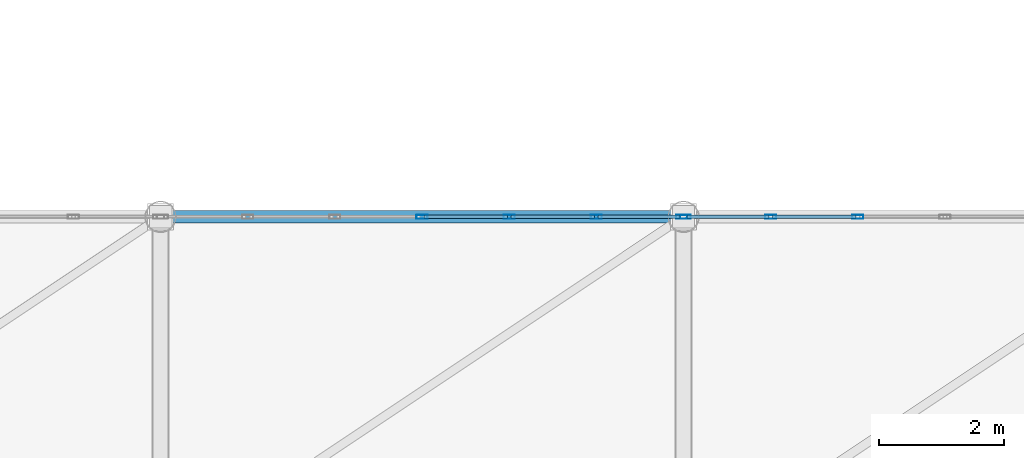
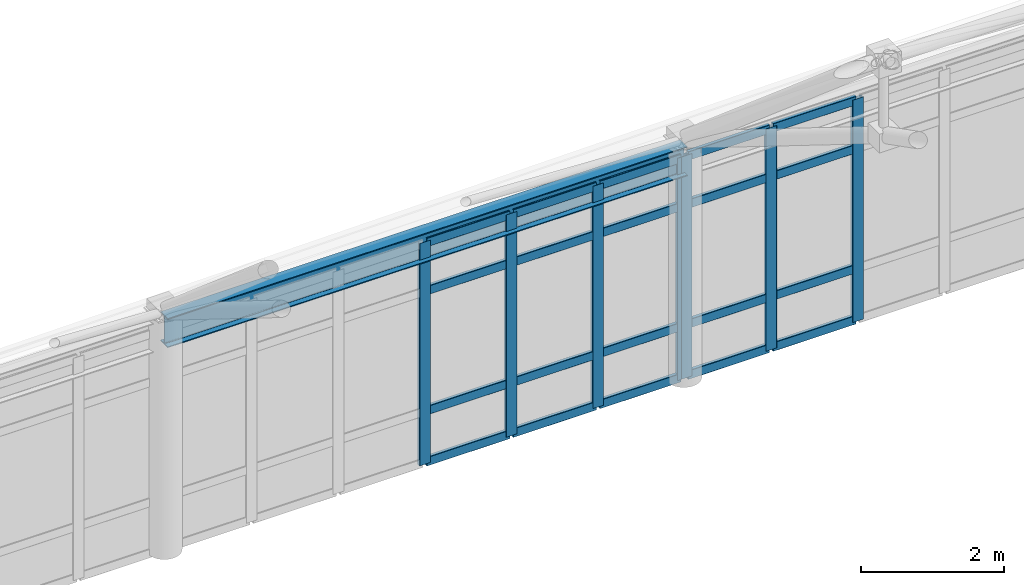
# One storey, part 96 of 184: 27 members, 1 beam, 2 elements without a shape of their own.
"""IFC4 building model written with IfcOpenShell, lengths in metres."""

from ifc_helpers import new_model, si_unit, direction, frame, origin, origin_2d, place, context, subcontext, project, spatial, hollow_rectangle, i_section, extrude, material, layer, layer_set, material_profile, profile_set, type_object, element, aggregate, save


model = new_model("IFC4")

# Units and contexts
model_context = context("Model", 3, precision=1e-05, world=origin(), true_north=direction((0.0, 1.0)))
body_context = subcontext(model_context, "Body", "Model", "MODEL_VIEW")
ifc_project = project(units=[si_unit("LENGTHUNIT", "METRE"), si_unit("AREAUNIT", "SQUARE_METRE"), si_unit("VOLUMEUNIT", "CUBIC_METRE"), si_unit("PLANEANGLEUNIT", "RADIAN"), si_unit("MASSUNIT", "GRAM", prefix="KILO")], contexts=[model_context])

# Site, building, storey
site_placement = place(None, origin())
site = spatial("IfcSite", under=ifc_project, at=site_placement, CompositionType="ELEMENT")
building_placement = place(site_placement, origin())
building = spatial("IfcBuilding", under=site, at=building_placement, Name="Qalvenar Corner Mobility Hub", CompositionType="ELEMENT")
storey_placement = place(building_placement, frame((0.0, 0.0, 9.0)))
storey = spatial("IfcBuildingStorey", under=building, at=storey_placement, Name="L02", CompositionType="ELEMENT", Elevation=9.0)

# Beam
ifc_material_1 = material(Name="Steel S355", Category="steel")
ifc_material_profile_1 = material_profile(ifc_material_1, i_section(OverallWidth=0.199951171875, OverallDepth=0.5, WebThickness=0.01025390625, FlangeThickness=0.01611328125, FilletRadius=0.02099609375, at=origin_2d()), Name="IPE500")
ifc_profile_set_1 = profile_set([ifc_material_profile_1], Name="Steel S355")
beam_type = type_object("IfcBeamType", Name="BM-IPE500", PredefinedType="BEAM", material=ifc_profile_set_1)
beam_placement = place(storey_placement, frame((84.0, 33.60009765625, 3.75), z_axis=(1.0, 0.0, 0.0), x_axis=(0.0, 1.0, 0.0)))
element("IfcBeam", 1, at=beam_placement, inside=storey, type_object=beam_type, Name="Space Frame Ring Beam SFRB-5-33", PredefinedType="BEAM", context=body_context, shape_type="SweptSolid", body=[
    extrude(i_section(OverallWidth=0.199951171875, OverallDepth=0.5, WebThickness=0.01025390625, FlangeThickness=0.01611328125, FilletRadius=0.02099609375, at=origin_2d()), origin(), (0.0, 0.0, 1.0), 8.39990234375),
])

# Curtain wall, members
ifc_material_2 = material(Name="Anodised Aluminium and Low-E Glazing", Category="aluminium")
ifc_layer = layer(ifc_material_2, 0.179931640625)
ifc_layer_set = layer_set([ifc_layer], Name="Anodised Aluminium and Low-E Glazing")
curtain_wall_type = type_object("IfcCurtainWallType", Name="CW-CONC-84X42", PredefinedType="NOTDEFINED", material=ifc_layer_set)
curtain_wall_1_placement = place(storey_placement, origin())
curtain_wall_1 = element("IfcCurtainWall", 2, at=curtain_wall_1_placement, inside=storey, type_object=curtain_wall_type, Name="Glazed Curtain Wall CW-V1-L02-N4", PredefinedType="NOTDEFINED")
ifc_material_3 = material(Name="Anodised Aluminium 6063-T6", Category="aluminium")
ifc_material_profile_2 = material_profile(ifc_material_3, hollow_rectangle(XDim=0.06494140625, YDim=0.179931640625, WallThickness=0.00390625, InnerFilletRadius=0.00390625, OuterFilletRadius=0.008056640625, at=origin_2d()), Name="RHS180x65x4")
ifc_profile_set_2 = profile_set([ifc_material_profile_2], Name="Anodised Aluminium 6063-T6")
member_type_1 = type_object("IfcMemberType", Name="CW-MUL180", PredefinedType="MULLION", material=ifc_profile_set_2)
member_1_placement = place(storey_placement, frame((92.3701171875, 33.60009765625, 0.0), z_axis=(0.0, 0.0, 1.0), x_axis=(0.0, -1.0, 0.0)))
member_1 = element("IfcMember", 3, at=member_1_placement, type_object=member_type_1, Name="CW-02 mullion 1", PredefinedType="MULLION", context=body_context, shape_type="SweptSolid", body=[
    extrude(hollow_rectangle(XDim=0.06494140625, YDim=0.179931640625, WallThickness=0.00390625, InnerFilletRadius=0.00390625, OuterFilletRadius=0.008056640625, at=origin_2d()), origin(), (0.0, 0.0, 1.0), 3.800048828125),
])
member_2_placement = place(storey_placement, frame((91.0, 33.60009765625, 0.0), z_axis=(0.0, 0.0, 1.0), x_axis=(0.0, -1.0, 0.0)))
member_2 = element("IfcMember", 4, at=member_2_placement, type_object=member_type_1, Name="CW-02 mullion 2", PredefinedType="MULLION", context=body_context, shape_type="SweptSolid", body=[
    extrude(hollow_rectangle(XDim=0.06494140625, YDim=0.179931640625, WallThickness=0.00390625, InnerFilletRadius=0.00390625, OuterFilletRadius=0.008056640625, at=origin_2d()), origin(), (0.0, 0.0, 1.0), 3.800048828125),
])
member_3_placement = place(storey_placement, frame((89.60009765625, 33.60009765625, 0.0), z_axis=(0.0, 0.0, 1.0), x_axis=(0.0, -1.0, 0.0)))
member_3 = element("IfcMember", 5, at=member_3_placement, type_object=member_type_1, Name="CW-02 mullion 3", PredefinedType="MULLION", context=body_context, shape_type="SweptSolid", body=[
    extrude(hollow_rectangle(XDim=0.06494140625, YDim=0.179931640625, WallThickness=0.00390625, InnerFilletRadius=0.00390625, OuterFilletRadius=0.008056640625, at=origin_2d()), origin(), (0.0, 0.0, 1.0), 3.800048828125),
])
member_4_placement = place(storey_placement, frame((88.199951171875, 33.60009765625, 0.0), z_axis=(0.0, 0.0, 1.0), x_axis=(0.0, -1.0, 0.0)))
member_4 = element("IfcMember", 6, at=member_4_placement, type_object=member_type_1, Name="CW-02 mullion 4", PredefinedType="MULLION", context=body_context, shape_type="SweptSolid", body=[
    extrude(hollow_rectangle(XDim=0.06494140625, YDim=0.179931640625, WallThickness=0.00390625, InnerFilletRadius=0.00390625, OuterFilletRadius=0.008056640625, at=origin_2d()), origin(), (0.0, 0.0, 1.0), 3.800048828125),
])

curtain_wall_2_placement = place(storey_placement, origin())
curtain_wall_2 = element("IfcCurtainWall", 7, at=curtain_wall_2_placement, inside=storey, type_object=curtain_wall_type, Name="Glazed Curtain Wall CW-V1-L02-N5", PredefinedType="NOTDEFINED")
member_5_placement = place(storey_placement, frame((95.199951171875, 33.60009765625, 0.0), z_axis=(0.0, 0.0, 1.0), x_axis=(0.0, -1.0, 0.0)))
member_5 = element("IfcMember", 8, at=member_5_placement, type_object=member_type_1, Name="CW-02 mullion 5", PredefinedType="MULLION", context=body_context, shape_type="SweptSolid", body=[
    extrude(hollow_rectangle(XDim=0.06494140625, YDim=0.179931640625, WallThickness=0.00390625, InnerFilletRadius=0.00390625, OuterFilletRadius=0.008056640625, at=origin_2d()), origin(), (0.0, 0.0, 1.0), 3.800048828125),
])
member_6_placement = place(storey_placement, frame((93.800048828125, 33.60009765625, 0.0), z_axis=(0.0, 0.0, 1.0), x_axis=(0.0, -1.0, 0.0)))
member_6 = element("IfcMember", 9, at=member_6_placement, type_object=member_type_1, Name="CW-02 mullion 6", PredefinedType="MULLION", context=body_context, shape_type="SweptSolid", body=[
    extrude(hollow_rectangle(XDim=0.06494140625, YDim=0.179931640625, WallThickness=0.00390625, InnerFilletRadius=0.00390625, OuterFilletRadius=0.008056640625, at=origin_2d()), origin(), (0.0, 0.0, 1.0), 3.800048828125),
])
member_7_placement = place(storey_placement, frame((92.429931640625, 33.60009765625, 0.0), z_axis=(0.0, 0.0, 1.0), x_axis=(0.0, -1.0, 0.0)))
member_7 = element("IfcMember", 10, at=member_7_placement, type_object=member_type_1, Name="CW-02 mullion 7", PredefinedType="MULLION", context=body_context, shape_type="SweptSolid", body=[
    extrude(hollow_rectangle(XDim=0.06494140625, YDim=0.179931640625, WallThickness=0.00390625, InnerFilletRadius=0.00390625, OuterFilletRadius=0.008056640625, at=origin_2d()), origin(), (0.0, 0.0, 1.0), 3.800048828125),
])

# Member
ifc_material_profile_3 = material_profile(ifc_material_3, hollow_rectangle(XDim=0.06005859375, YDim=0.14990234375, WallThickness=0.00341796875, InnerFilletRadius=0.00341796875, OuterFilletRadius=0.007080078125, at=origin_2d()), Name="RHS150x60x3.5")
ifc_profile_set_3 = profile_set([ifc_material_profile_3], Name="Anodised Aluminium 6063-T6")
member_type_2 = type_object("IfcMemberType", Name="CW-TRN150", PredefinedType="USERDEFINED", material=ifc_profile_set_3)
member_8_placement = place(storey_placement, frame((92.340087890625, 33.60009765625, 0.027587890625), z_axis=(-1.0, 0.0, 0.0), x_axis=(0.0, -1.0, 0.0)))
member_8 = element("IfcMember", 11, at=member_8_placement, type_object=member_type_2, Name="CW-02 transom 1.1", ObjectType="TRANSOM", PredefinedType="USERDEFINED", context=body_context, shape_type="SweptSolid", body=[
    extrude(hollow_rectangle(XDim=0.06005859375, YDim=0.14990234375, WallThickness=0.00341796875, InnerFilletRadius=0.00341796875, OuterFilletRadius=0.007080078125, at=origin_2d()), origin(), (0.0, 0.0, 1.0), 1.31005859375),
])

member_9_placement = place(storey_placement, frame((92.340087890625, 33.60009765625, 0.89990234375), z_axis=(-1.0, 0.0, 0.0), x_axis=(0.0, -1.0, 0.0)))
member_9 = element("IfcMember", 12, at=member_9_placement, type_object=member_type_2, Name="CW-02 transom 1.2", ObjectType="TRANSOM", PredefinedType="USERDEFINED", context=body_context, shape_type="SweptSolid", body=[
    extrude(hollow_rectangle(XDim=0.06005859375, YDim=0.14990234375, WallThickness=0.00341796875, InnerFilletRadius=0.00341796875, OuterFilletRadius=0.007080078125, at=origin_2d()), origin(), (0.0, 0.0, 1.0), 1.31005859375),
])

member_10_placement = place(storey_placement, frame((92.340087890625, 33.60009765625, 2.949951171875), z_axis=(-1.0, 0.0, 0.0), x_axis=(0.0, -1.0, 0.0)))
member_10 = element("IfcMember", 13, at=member_10_placement, type_object=member_type_2, Name="CW-02 transom 1.3", ObjectType="TRANSOM", PredefinedType="USERDEFINED", context=body_context, shape_type="SweptSolid", body=[
    extrude(hollow_rectangle(XDim=0.06005859375, YDim=0.14990234375, WallThickness=0.00341796875, InnerFilletRadius=0.00341796875, OuterFilletRadius=0.007080078125, at=origin_2d()), origin(), (0.0, 0.0, 1.0), 1.31005859375),
])

member_11_placement = place(storey_placement, frame((92.340087890625, 33.60009765625, 3.7724609375), z_axis=(-1.0, 0.0, 0.0), x_axis=(0.0, -1.0, 0.0)))
member_11 = element("IfcMember", 14, at=member_11_placement, type_object=member_type_2, Name="CW-02 transom 1.4", ObjectType="TRANSOM", PredefinedType="USERDEFINED", context=body_context, shape_type="SweptSolid", body=[
    extrude(hollow_rectangle(XDim=0.06005859375, YDim=0.14990234375, WallThickness=0.00341796875, InnerFilletRadius=0.00341796875, OuterFilletRadius=0.007080078125, at=origin_2d()), origin(), (0.0, 0.0, 1.0), 1.31005859375),
])

member_12_placement = place(storey_placement, frame((90.969970703125, 33.60009765625, 0.027587890625), z_axis=(-1.0, 0.0, 0.0), x_axis=(0.0, -1.0, 0.0)))
member_12 = element("IfcMember", 15, at=member_12_placement, type_object=member_type_2, Name="CW-02 transom 2.1", ObjectType="TRANSOM", PredefinedType="USERDEFINED", context=body_context, shape_type="SweptSolid", body=[
    extrude(hollow_rectangle(XDim=0.06005859375, YDim=0.14990234375, WallThickness=0.00341796875, InnerFilletRadius=0.00341796875, OuterFilletRadius=0.007080078125, at=origin_2d()), origin(), (0.0, 0.0, 1.0), 1.340087890625),
])

member_13_placement = place(storey_placement, frame((90.969970703125, 33.60009765625, 0.89990234375), z_axis=(-1.0, 0.0, 0.0), x_axis=(0.0, -1.0, 0.0)))
member_13 = element("IfcMember", 16, at=member_13_placement, type_object=member_type_2, Name="CW-02 transom 2.2", ObjectType="TRANSOM", PredefinedType="USERDEFINED", context=body_context, shape_type="SweptSolid", body=[
    extrude(hollow_rectangle(XDim=0.06005859375, YDim=0.14990234375, WallThickness=0.00341796875, InnerFilletRadius=0.00341796875, OuterFilletRadius=0.007080078125, at=origin_2d()), origin(), (0.0, 0.0, 1.0), 1.340087890625),
])

member_14_placement = place(storey_placement, frame((90.969970703125, 33.60009765625, 2.949951171875), z_axis=(-1.0, 0.0, 0.0), x_axis=(0.0, -1.0, 0.0)))
member_14 = element("IfcMember", 17, at=member_14_placement, type_object=member_type_2, Name="CW-02 transom 2.3", ObjectType="TRANSOM", PredefinedType="USERDEFINED", context=body_context, shape_type="SweptSolid", body=[
    extrude(hollow_rectangle(XDim=0.06005859375, YDim=0.14990234375, WallThickness=0.00341796875, InnerFilletRadius=0.00341796875, OuterFilletRadius=0.007080078125, at=origin_2d()), origin(), (0.0, 0.0, 1.0), 1.340087890625),
])

member_15_placement = place(storey_placement, frame((90.969970703125, 33.60009765625, 3.7724609375), z_axis=(-1.0, 0.0, 0.0), x_axis=(0.0, -1.0, 0.0)))
member_15 = element("IfcMember", 18, at=member_15_placement, type_object=member_type_2, Name="CW-02 transom 2.4", ObjectType="TRANSOM", PredefinedType="USERDEFINED", context=body_context, shape_type="SweptSolid", body=[
    extrude(hollow_rectangle(XDim=0.06005859375, YDim=0.14990234375, WallThickness=0.00341796875, InnerFilletRadius=0.00341796875, OuterFilletRadius=0.007080078125, at=origin_2d()), origin(), (0.0, 0.0, 1.0), 1.340087890625),
])

member_16_placement = place(storey_placement, frame((89.570068359375, 33.60009765625, 0.027587890625), z_axis=(-1.0, 0.0, 0.0), x_axis=(0.0, -1.0, 0.0)))
member_16 = element("IfcMember", 19, at=member_16_placement, type_object=member_type_2, Name="CW-02 transom 3.1", ObjectType="TRANSOM", PredefinedType="USERDEFINED", context=body_context, shape_type="SweptSolid", body=[
    extrude(hollow_rectangle(XDim=0.06005859375, YDim=0.14990234375, WallThickness=0.00341796875, InnerFilletRadius=0.00341796875, OuterFilletRadius=0.007080078125, at=origin_2d()), origin(), (0.0, 0.0, 1.0), 1.340087890625),
])

member_17_placement = place(storey_placement, frame((89.570068359375, 33.60009765625, 0.89990234375), z_axis=(-1.0, 0.0, 0.0), x_axis=(0.0, -1.0, 0.0)))
member_17 = element("IfcMember", 20, at=member_17_placement, type_object=member_type_2, Name="CW-02 transom 3.2", ObjectType="TRANSOM", PredefinedType="USERDEFINED", context=body_context, shape_type="SweptSolid", body=[
    extrude(hollow_rectangle(XDim=0.06005859375, YDim=0.14990234375, WallThickness=0.00341796875, InnerFilletRadius=0.00341796875, OuterFilletRadius=0.007080078125, at=origin_2d()), origin(), (0.0, 0.0, 1.0), 1.340087890625),
])

member_18_placement = place(storey_placement, frame((89.570068359375, 33.60009765625, 2.949951171875), z_axis=(-1.0, 0.0, 0.0), x_axis=(0.0, -1.0, 0.0)))
member_18 = element("IfcMember", 21, at=member_18_placement, type_object=member_type_2, Name="CW-02 transom 3.3", ObjectType="TRANSOM", PredefinedType="USERDEFINED", context=body_context, shape_type="SweptSolid", body=[
    extrude(hollow_rectangle(XDim=0.06005859375, YDim=0.14990234375, WallThickness=0.00341796875, InnerFilletRadius=0.00341796875, OuterFilletRadius=0.007080078125, at=origin_2d()), origin(), (0.0, 0.0, 1.0), 1.340087890625),
])

member_19_placement = place(storey_placement, frame((89.570068359375, 33.60009765625, 3.7724609375), z_axis=(-1.0, 0.0, 0.0), x_axis=(0.0, -1.0, 0.0)))
member_19 = element("IfcMember", 22, at=member_19_placement, type_object=member_type_2, Name="CW-02 transom 3.4", ObjectType="TRANSOM", PredefinedType="USERDEFINED", context=body_context, shape_type="SweptSolid", body=[
    extrude(hollow_rectangle(XDim=0.06005859375, YDim=0.14990234375, WallThickness=0.00341796875, InnerFilletRadius=0.00341796875, OuterFilletRadius=0.007080078125, at=origin_2d()), origin(), (0.0, 0.0, 1.0), 1.340087890625),
])

aggregate(curtain_wall_1, [member_1, member_2, member_3, member_4, member_8, member_9, member_10, member_11, member_12, member_13, member_14, member_15, member_16, member_17, member_18, member_19])

member_20_placement = place(storey_placement, frame((95.169921875, 33.60009765625, 0.027587890625), z_axis=(-1.0, 0.0, 0.0), x_axis=(0.0, -1.0, 0.0)))
member_20 = element("IfcMember", 23, at=member_20_placement, type_object=member_type_2, Name="CW-02 transom 5.1", ObjectType="TRANSOM", PredefinedType="USERDEFINED", context=body_context, shape_type="SweptSolid", body=[
    extrude(hollow_rectangle(XDim=0.06005859375, YDim=0.14990234375, WallThickness=0.00341796875, InnerFilletRadius=0.00341796875, OuterFilletRadius=0.007080078125, at=origin_2d()), origin(), (0.0, 0.0, 1.0), 1.33984375),
])

member_21_placement = place(storey_placement, frame((95.169921875, 33.60009765625, 0.89990234375), z_axis=(-1.0, 0.0, 0.0), x_axis=(0.0, -1.0, 0.0)))
member_21 = element("IfcMember", 24, at=member_21_placement, type_object=member_type_2, Name="CW-02 transom 5.2", ObjectType="TRANSOM", PredefinedType="USERDEFINED", context=body_context, shape_type="SweptSolid", body=[
    extrude(hollow_rectangle(XDim=0.06005859375, YDim=0.14990234375, WallThickness=0.00341796875, InnerFilletRadius=0.00341796875, OuterFilletRadius=0.007080078125, at=origin_2d()), origin(), (0.0, 0.0, 1.0), 1.33984375),
])

member_22_placement = place(storey_placement, frame((95.169921875, 33.60009765625, 2.949951171875), z_axis=(-1.0, 0.0, 0.0), x_axis=(0.0, -1.0, 0.0)))
member_22 = element("IfcMember", 25, at=member_22_placement, type_object=member_type_2, Name="CW-02 transom 5.3", ObjectType="TRANSOM", PredefinedType="USERDEFINED", context=body_context, shape_type="SweptSolid", body=[
    extrude(hollow_rectangle(XDim=0.06005859375, YDim=0.14990234375, WallThickness=0.00341796875, InnerFilletRadius=0.00341796875, OuterFilletRadius=0.007080078125, at=origin_2d()), origin(), (0.0, 0.0, 1.0), 1.33984375),
])

member_23_placement = place(storey_placement, frame((95.169921875, 33.60009765625, 3.7724609375), z_axis=(-1.0, 0.0, 0.0), x_axis=(0.0, -1.0, 0.0)))
member_23 = element("IfcMember", 26, at=member_23_placement, type_object=member_type_2, Name="CW-02 transom 5.4", ObjectType="TRANSOM", PredefinedType="USERDEFINED", context=body_context, shape_type="SweptSolid", body=[
    extrude(hollow_rectangle(XDim=0.06005859375, YDim=0.14990234375, WallThickness=0.00341796875, InnerFilletRadius=0.00341796875, OuterFilletRadius=0.007080078125, at=origin_2d()), origin(), (0.0, 0.0, 1.0), 1.33984375),
])

member_24_placement = place(storey_placement, frame((93.77001953125, 33.60009765625, 0.027587890625), z_axis=(-1.0, 0.0, 0.0), x_axis=(0.0, -1.0, 0.0)))
member_24 = element("IfcMember", 27, at=member_24_placement, type_object=member_type_2, Name="CW-02 transom 6.1", ObjectType="TRANSOM", PredefinedType="USERDEFINED", context=body_context, shape_type="SweptSolid", body=[
    extrude(hollow_rectangle(XDim=0.06005859375, YDim=0.14990234375, WallThickness=0.00341796875, InnerFilletRadius=0.00341796875, OuterFilletRadius=0.007080078125, at=origin_2d()), origin(), (0.0, 0.0, 1.0), 1.31005859375),
])

member_25_placement = place(storey_placement, frame((93.77001953125, 33.60009765625, 0.89990234375), z_axis=(-1.0, 0.0, 0.0), x_axis=(0.0, -1.0, 0.0)))
member_25 = element("IfcMember", 28, at=member_25_placement, type_object=member_type_2, Name="CW-02 transom 6.2", ObjectType="TRANSOM", PredefinedType="USERDEFINED", context=body_context, shape_type="SweptSolid", body=[
    extrude(hollow_rectangle(XDim=0.06005859375, YDim=0.14990234375, WallThickness=0.00341796875, InnerFilletRadius=0.00341796875, OuterFilletRadius=0.007080078125, at=origin_2d()), origin(), (0.0, 0.0, 1.0), 1.31005859375),
])

member_26_placement = place(storey_placement, frame((93.77001953125, 33.60009765625, 2.949951171875), z_axis=(-1.0, 0.0, 0.0), x_axis=(0.0, -1.0, 0.0)))
member_26 = element("IfcMember", 29, at=member_26_placement, type_object=member_type_2, Name="CW-02 transom 6.3", ObjectType="TRANSOM", PredefinedType="USERDEFINED", context=body_context, shape_type="SweptSolid", body=[
    extrude(hollow_rectangle(XDim=0.06005859375, YDim=0.14990234375, WallThickness=0.00341796875, InnerFilletRadius=0.00341796875, OuterFilletRadius=0.007080078125, at=origin_2d()), origin(), (0.0, 0.0, 1.0), 1.31005859375),
])

member_27_placement = place(storey_placement, frame((93.77001953125, 33.60009765625, 3.7724609375), z_axis=(-1.0, 0.0, 0.0), x_axis=(0.0, -1.0, 0.0)))
member_27 = element("IfcMember", 30, at=member_27_placement, type_object=member_type_2, Name="CW-02 transom 6.4", ObjectType="TRANSOM", PredefinedType="USERDEFINED", context=body_context, shape_type="SweptSolid", body=[
    extrude(hollow_rectangle(XDim=0.06005859375, YDim=0.14990234375, WallThickness=0.00341796875, InnerFilletRadius=0.00341796875, OuterFilletRadius=0.007080078125, at=origin_2d()), origin(), (0.0, 0.0, 1.0), 1.31005859375),
])

aggregate(curtain_wall_2, [member_5, member_6, member_7, member_20, member_21, member_22, member_23, member_24, member_25, member_26, member_27])

save(model, "model.ifc")
